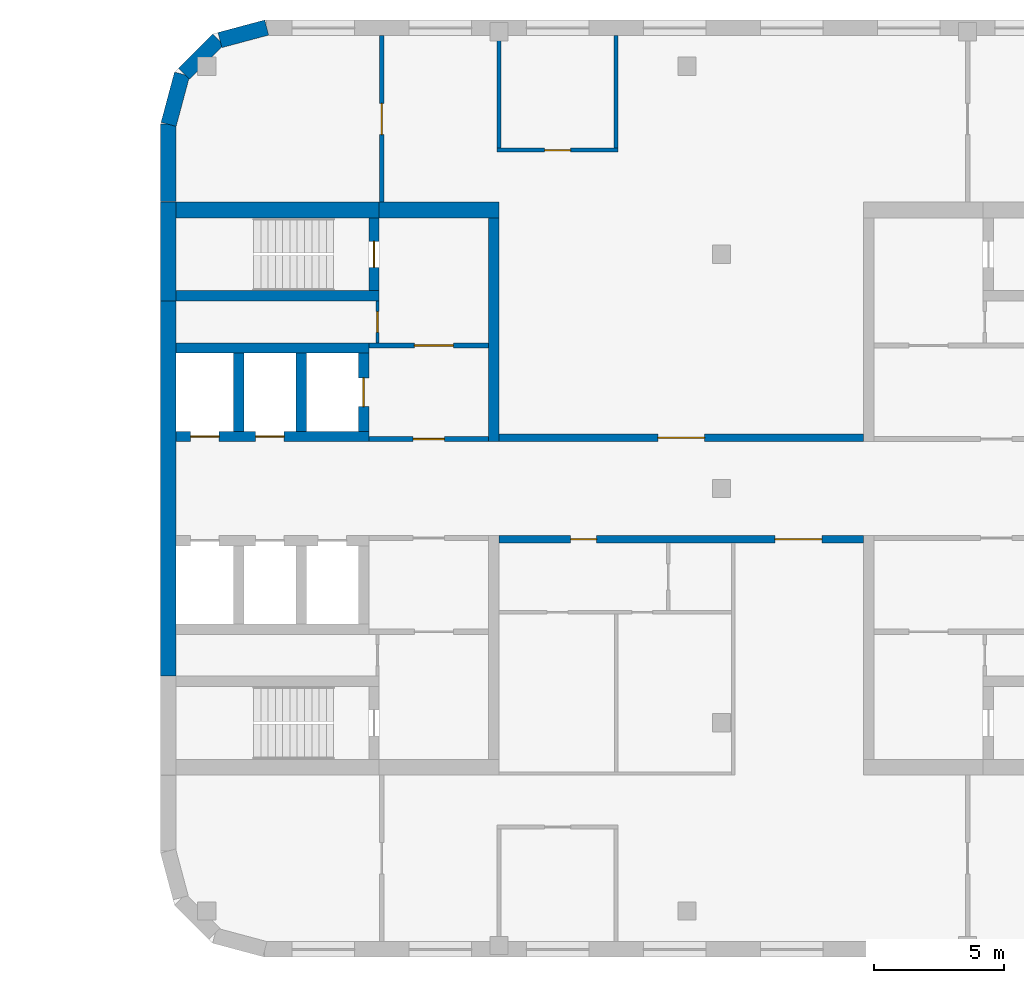
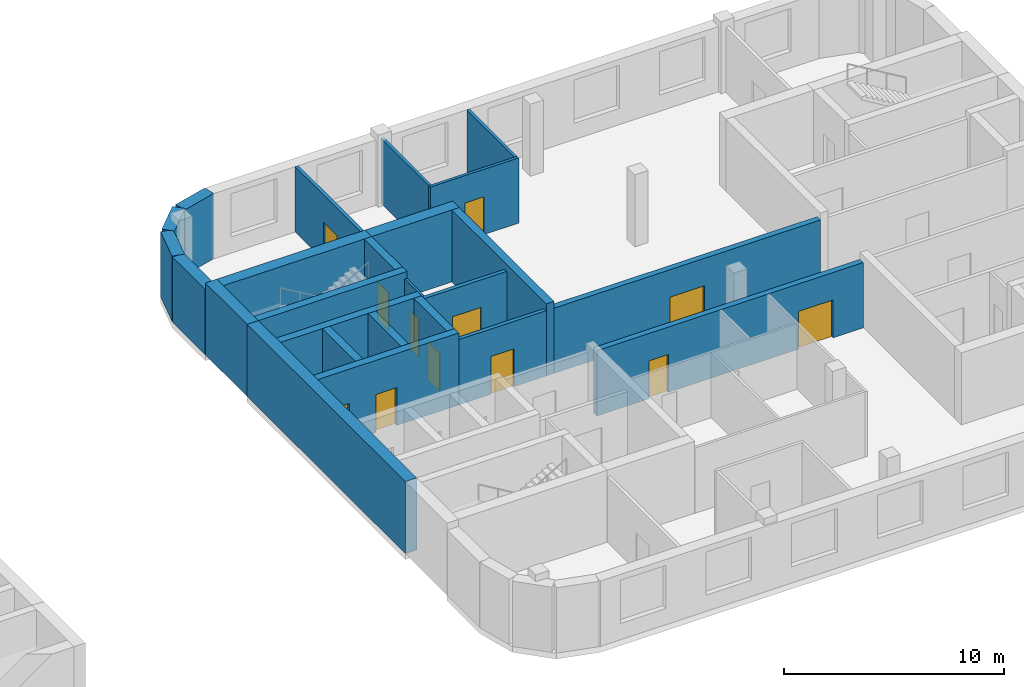
# One storey, part 8 of 16: 25 walls, 12 doors, 12 openings.
"""IFC4 building model written with IfcOpenShell, lengths in metres."""

from ifc_helpers import new_model, si_unit, direction, frame, frame_2d, origin, place, context, subcontext, project, spatial, rectangle, extrude, material, layer, layer_set, type_object, element, fill, save


model = new_model("IFC4")

# Units and contexts
model_context = context("Model", 3, precision=1e-05, world=origin(), true_north=direction((0.0, 1.0)))
body_context = subcontext(model_context, "Body", "Model", "MODEL_VIEW")
ifc_project = project(units=[si_unit("LENGTHUNIT", "METRE"), si_unit("AREAUNIT", "SQUARE_METRE"), si_unit("VOLUMEUNIT", "CUBIC_METRE"), si_unit("PLANEANGLEUNIT", "RADIAN"), si_unit("MASSUNIT", "GRAM", prefix="KILO")], contexts=[model_context])

# Site, building, storey
site_placement = place(None, origin())
site = spatial("IfcSite", under=ifc_project, at=site_placement, CompositionType="ELEMENT")
building_placement = place(site_placement, origin())
building = spatial("IfcBuilding", under=site, at=building_placement, Name="Skarvind Civic Tower", CompositionType="ELEMENT")
storey_placement = place(building_placement, frame((0.0, 0.0, 81.0)))
storey = spatial("IfcBuildingStorey", under=building, at=storey_placement, Name="L18", CompositionType="ELEMENT", Elevation=81.0)

# Wall, opening, door
ifc_material_1 = material(Name="Acoustic gypsum board on steel studs", Category="steel")
ifc_layer_1 = layer(ifc_material_1, 0.175048828125)
ifc_layer_set_1 = layer_set([ifc_layer_1], Name="ACOUSTIC MEETING-ROOM PARTITION 175")
wall_type_1 = type_object("IfcWallType", Name="ACOUSTIC MEETING-ROOM PARTITION 175", PredefinedType="PARTITIONING", material=ifc_layer_set_1)
wall_1_placement = place(storey_placement, frame((135.5, 145.39990234375, 0.0), z_axis=(0.0, 0.0, 1.0), x_axis=(0.0, -1.0, 0.0)))
wall_1 = element("IfcWall", 1, at=wall_1_placement, inside=storey, type_object=wall_type_1, Name="Partition 18.002", PredefinedType="PARTITIONING", context=body_context, shape_type="SweptSolid", body=[
    extrude(rectangle(XDim=6.39990234375, YDim=0.175048828125, at=frame_2d((3.199951171875, 0.0))), origin(), (0.0, 0.0, 1.0), 3.625),
])
opening_1_placement = place(wall_1_placement, frame((2.60009765625, 0.0, 0.0)))
opening_1 = element("IfcOpeningElement", 2, at=opening_1_placement, cuts=wall_1, Name="Opening L18-D103", PredefinedType="OPENING", context=body_context, shape_type="SweptSolid", body=[
    extrude(rectangle(XDim=1.199951171875, YDim=2.10009765625, at=frame_2d((0.60009765625, 1.050048828125))), frame((0.0, 0.097412109375, 0.0), z_axis=(0.0, -1.0, 0.0), x_axis=(1.0, 0.0, 0.0)), (0.0, 0.0, 1.0), 0.195068359375),
])
ifc_material_2 = material(Name="Timber door leaf", Category="wood")
door_type_1 = type_object("IfcDoorType", Name="DOOR 1200X2100 DOUBLE TIMBER", OperationType="NOTDEFINED", PredefinedType="DOOR", material=ifc_material_2)
door_1_placement = place(opening_1_placement, origin())
door_1 = element("IfcDoor", 3, at=door_1_placement, inside=storey, type_object=door_type_1, Name="Door L18-D103", OperationType="DOUBLE_DOOR_SINGLE_SWING", OverallHeight=2.10009765625, OverallWidth=1.199951171875, PredefinedType="DOOR", context=body_context, shape_type="SweptSolid", body=[
    extrude(rectangle(XDim=1.199951171875, YDim=2.10009765625, at=frame_2d((0.60009765625, 1.050048828125))), frame((0.0, 0.02490234375, 0.0), z_axis=(0.0, -1.0, 0.0), x_axis=(1.0, 0.0, 0.0)), (0.0, 0.0, 1.0), 0.050048828125),
])
fill(opening_1, door_1)

ifc_material_3 = material(Name="Fire-rated gypsum board on steel studs", Category="steel")
ifc_layer_2 = layer(ifc_material_3, 0.300048828125)
ifc_layer_set_2 = layer_set([ifc_layer_2], Name="CORRIDOR WALL 300")
wall_type_2 = type_object("IfcWallType", Name="CORRIDOR WALL 300", PredefinedType="PARTITIONING", material=ifc_layer_set_2)
wall_2_placement = place(storey_placement, frame((140.0, 129.949951171875, 0.0), z_axis=(0.0, 0.0, 1.0), x_axis=(1.0, 0.0, 0.0)))
wall_2 = element("IfcWall", 4, at=wall_2_placement, inside=storey, type_object=wall_type_2, Name="Partition 18.007", PredefinedType="PARTITIONING", context=body_context, shape_type="SweptSolid", body=[
    extrude(rectangle(XDim=14.0, YDim=0.300048828125, at=frame_2d((7.0, 0.0))), origin(), (0.0, 0.0, 1.0), 3.625),
])
opening_2_placement = place(wall_2_placement, frame((6.10009765625, 0.0, 0.0)))
opening_2 = element("IfcOpeningElement", 5, at=opening_2_placement, cuts=wall_2, Name="Opening L18-D101", PredefinedType="OPENING", context=body_context, shape_type="SweptSolid", body=[
    extrude(rectangle(XDim=1.800048828125, YDim=2.10009765625, at=frame_2d((0.89990234375, 1.050048828125))), frame((0.0, 0.159912109375, 0.0), z_axis=(0.0, -1.0, 0.0), x_axis=(1.0, 0.0, 0.0)), (0.0, 0.0, 1.0), 0.320068359375),
])
ifc_material_4 = material(Name="Fire-rated timber door leaf", Category="wood")
door_type_2 = type_object("IfcDoorType", Name="FD4 1800x2100", OperationType="NOTDEFINED", PredefinedType="DOOR", material=ifc_material_4)
door_2_placement = place(opening_2_placement, origin())
door_2 = element("IfcDoor", 6, at=door_2_placement, inside=storey, type_object=door_type_2, Name="Door L18-D101", OperationType="DOUBLE_DOOR_SINGLE_SWING", OverallHeight=2.10009765625, OverallWidth=1.800048828125, PredefinedType="DOOR", context=body_context, shape_type="SweptSolid", body=[
    extrude(rectangle(XDim=1.800048828125, YDim=2.10009765625, at=frame_2d((0.89990234375, 1.050048828125))), frame((0.0, 0.02490234375, 0.0), z_axis=(0.0, -1.0, 0.0), x_axis=(1.0, 0.0, 0.0)), (0.0, 0.0, 1.0), 0.050048828125),
])
fill(opening_2, door_2)

# Wall, openings, doors
wall_3_placement = place(storey_placement, frame((154.0, 126.050048828125, 0.0), z_axis=(0.0, 0.0, 1.0), x_axis=(-1.0, 0.0, 0.0)))
wall_3 = element("IfcWall", 7, at=wall_3_placement, inside=storey, type_object=wall_type_2, Name="Partition 18.015", PredefinedType="PARTITIONING", context=body_context, shape_type="SweptSolid", body=[
    extrude(rectangle(XDim=14.0, YDim=0.300048828125, at=frame_2d((7.0, 0.0))), origin(), (0.0, 0.0, 1.0), 3.625),
])
opening_3_placement = place(wall_3_placement, frame((10.25, 0.0, 0.0)))
opening_3 = element("IfcOpeningElement", 8, at=opening_3_placement, cuts=wall_3, Name="Opening L18-D105", PredefinedType="OPENING", context=body_context, shape_type="SweptSolid", body=[
    extrude(rectangle(XDim=1.0, YDim=2.10009765625, at=frame_2d((0.5, 1.050048828125))), frame((0.0, 0.159912109375, 0.0), z_axis=(0.0, -1.0, 0.0), x_axis=(1.0, 0.0, 0.0)), (0.0, 0.0, 1.0), 0.320068359375),
])
opening_4_placement = place(wall_3_placement, frame((1.60009765625, 0.0, 0.0)))
opening_4 = element("IfcOpeningElement", 9, at=opening_4_placement, cuts=wall_3, Name="Opening L18-D109", PredefinedType="OPENING", context=body_context, shape_type="SweptSolid", body=[
    extrude(rectangle(XDim=1.800048828125, YDim=2.10009765625, at=frame_2d((0.89990234375, 1.050048828125))), frame((0.0, 0.159912109375, 0.0), z_axis=(0.0, -1.0, 0.0), x_axis=(1.0, 0.0, 0.0)), (0.0, 0.0, 1.0), 0.320068359375),
])
door_type_3 = type_object("IfcDoorType", Name="FD1 1000x2100", OperationType="NOTDEFINED", PredefinedType="DOOR", material=ifc_material_4)
door_3_placement = place(opening_3_placement, origin())
door_3 = element("IfcDoor", 10, at=door_3_placement, inside=storey, type_object=door_type_3, Name="Door L18-D105", OperationType="SINGLE_SWING_RIGHT", OverallHeight=2.10009765625, OverallWidth=1.0, PredefinedType="DOOR", context=body_context, shape_type="SweptSolid", body=[
    extrude(rectangle(XDim=1.0, YDim=2.10009765625, at=frame_2d((0.5, 1.050048828125))), frame((0.0, 0.02490234375, 0.0), z_axis=(0.0, -1.0, 0.0), x_axis=(1.0, 0.0, 0.0)), (0.0, 0.0, 1.0), 0.050048828125),
])
fill(opening_3, door_3)
door_4_placement = place(opening_4_placement, origin())
door_4 = element("IfcDoor", 11, at=door_4_placement, inside=storey, type_object=door_type_2, Name="Door L18-D109", OperationType="DOUBLE_DOOR_SINGLE_SWING", OverallHeight=2.10009765625, OverallWidth=1.800048828125, PredefinedType="DOOR", context=body_context, shape_type="SweptSolid", body=[
    extrude(rectangle(XDim=1.800048828125, YDim=2.10009765625, at=frame_2d((0.89990234375, 1.050048828125))), frame((0.0, 0.02490234375, 0.0), z_axis=(0.0, -1.0, 0.0), x_axis=(1.0, 0.0, 0.0)), (0.0, 0.0, 1.0), 0.050048828125),
])
fill(opening_4, door_4)

# Wall, opening, door
ifc_material_5 = material(Name="Fire-rated masonry partition", Category="masonry")
ifc_layer_3 = layer(ifc_material_5, 0.199951171875)
ifc_layer_set_3 = layer_set([ifc_layer_3], Name="Core enclosure wall 200")
wall_type_3 = type_object("IfcWallType", Name="Core enclosure wall 200", PredefinedType="PARTITIONING", material=ifc_layer_set_3)
wall_4_placement = place(storey_placement, frame((135.0, 129.89990234375, 0.0), z_axis=(0.0, 0.0, 1.0), x_axis=(1.0, 0.0, 0.0)))
wall_4 = element("IfcWall", 12, at=wall_4_placement, inside=storey, type_object=wall_type_3, Name="Core wall CA", PredefinedType="PARTITIONING", context=body_context, shape_type="SweptSolid", body=[
    extrude(rectangle(XDim=4.60009765625, YDim=0.199951171875, at=frame_2d((2.300048828125, 0.0))), origin(), (0.0, 0.0, 1.0), 3.625),
])
opening_5_placement = place(wall_4_placement, frame((1.699951171875, 0.0, 0.0)))
opening_5 = element("IfcOpeningElement", 13, at=opening_5_placement, cuts=wall_4, Name="Opening D-L18-CA-06", PredefinedType="OPENING", context=body_context, shape_type="SweptSolid", body=[
    extrude(rectangle(XDim=1.199951171875, YDim=2.10009765625, at=frame_2d((0.60009765625, 1.050048828125))), frame((0.0, 0.10986328125, 0.0), z_axis=(0.0, -1.0, 0.0), x_axis=(1.0, 0.0, 0.0)), (0.0, 0.0, 1.0), 0.219970703125),
])
ifc_material_6 = material(Name="Fire-rated steel door", Category="steel")
door_type_4 = type_object("IfcDoorType", Name="Core lobby door 1200", OperationType="NOTDEFINED", PredefinedType="DOOR", material=ifc_material_6)
door_5_placement = place(opening_5_placement, origin())
door_5 = element("IfcDoor", 14, at=door_5_placement, inside=storey, type_object=door_type_4, Name="Fire door", OperationType="DOUBLE_DOOR_SINGLE_SWING", OverallHeight=2.10009765625, OverallWidth=1.199951171875, PredefinedType="DOOR", context=body_context, shape_type="SweptSolid", body=[
    extrude(rectangle(XDim=1.199951171875, YDim=2.10009765625, at=frame_2d((0.60009765625, 1.050048828125))), frame((0.0, 0.02490234375, 0.0), z_axis=(0.0, -1.0, 0.0), x_axis=(1.0, 0.0, 0.0)), (0.0, 0.0, 1.0), 0.050048828125),
])
fill(opening_5, door_5)

wall_5_placement = place(storey_placement, frame((135.0, 133.5, 0.0), z_axis=(0.0, 0.0, 1.0), x_axis=(1.0, 0.0, 0.0)))
wall_5 = element("IfcWall", 15, at=wall_5_placement, inside=storey, type_object=wall_type_3, Name="Core wall CA", PredefinedType="PARTITIONING", context=body_context, shape_type="SweptSolid", body=[
    extrude(rectangle(XDim=4.60009765625, YDim=0.199951171875, at=frame_2d((2.300048828125, 0.0))), origin(), (0.0, 0.0, 1.0), 3.625),
])
opening_6_placement = place(wall_5_placement, frame((1.75, 0.0, 0.0)))
opening_6 = element("IfcOpeningElement", 16, at=opening_6_placement, cuts=wall_5, Name="Opening D-L18-CA-07", PredefinedType="OPENING", context=body_context, shape_type="SweptSolid", body=[
    extrude(rectangle(XDim=1.5, YDim=2.10009765625, at=frame_2d((0.75, 1.050048828125))), frame((0.0, 0.10986328125, 0.0), z_axis=(0.0, -1.0, 0.0), x_axis=(1.0, 0.0, 0.0)), (0.0, 0.0, 1.0), 0.219970703125),
])
door_type_5 = type_object("IfcDoorType", Name="Fire door 1500", OperationType="NOTDEFINED", PredefinedType="DOOR", material=ifc_material_6)
door_6_placement = place(opening_6_placement, origin())
door_6 = element("IfcDoor", 17, at=door_6_placement, inside=storey, type_object=door_type_5, Name="Fire door", OperationType="DOUBLE_DOOR_SINGLE_SWING", OverallHeight=2.10009765625, OverallWidth=1.5, PredefinedType="DOOR", context=body_context, shape_type="SweptSolid", body=[
    extrude(rectangle(XDim=1.5, YDim=2.10009765625, at=frame_2d((0.75, 1.050048828125))), frame((0.0, 0.02490234375, 0.0), z_axis=(0.0, -1.0, 0.0), x_axis=(1.0, 0.0, 0.0)), (0.0, 0.0, 1.0), 0.050048828125),
])
fill(opening_6, door_6)

# Wall
ifc_material_7 = material(Name="Concrete C80", Category="concrete")
ifc_layer_4 = layer(ifc_material_7, 0.39990234375)
ifc_layer_set_4 = layer_set([ifc_layer_4], Name="Core wall 400 C80")
wall_type_4 = type_object("IfcWallType", Name="Core wall 400 C80", PredefinedType="SHEAR", material=ifc_layer_set_4)
wall_6_placement = place(storey_placement, frame((127.60009765625, 135.39990234375, 0.0), z_axis=(0.0, 0.0, 1.0), x_axis=(1.0, 0.0, 0.0)))
element("IfcWall", 18, at=wall_6_placement, inside=storey, type_object=wall_type_4, Name="Core wall CA north stair inner L18", PredefinedType="SHEAR", context=body_context, shape_type="SweptSolid", body=[
    extrude(rectangle(XDim=7.7998046875, YDim=0.39990234375, at=frame_2d((3.89990234375, 0.0))), origin(), (0.0, 0.0, 1.0), 4.0),
])

# Wall, opening, door
wall_7_placement = place(storey_placement, frame((135.199951171875, 135.60009765625, 0.0), z_axis=(0.0, 0.0, 1.0), x_axis=(0.0, 1.0, 0.0)))
wall_7 = element("IfcWall", 19, at=wall_7_placement, inside=storey, type_object=wall_type_4, Name="Core wall CA north stair end L18", PredefinedType="SHEAR", context=body_context, shape_type="SweptSolid", body=[
    extrude(rectangle(XDim=2.7998046875, YDim=0.39990234375, at=frame_2d((1.39990234375, 0.0))), origin(), (0.0, 0.0, 1.0), 4.0),
])
opening_7_placement = place(wall_7_placement, frame((0.89990234375, 0.0, 0.0)))
opening_7 = element("IfcOpeningElement", 20, at=opening_7_placement, cuts=wall_7, Name="Opening D-L18-CA-08", PredefinedType="OPENING", context=body_context, shape_type="SweptSolid", body=[
    extrude(rectangle(XDim=1.0, YDim=2.10009765625, at=frame_2d((0.5, 1.050048828125))), frame((0.0, 0.2099609375, 0.0), z_axis=(0.0, -1.0, 0.0), x_axis=(1.0, 0.0, 0.0)), (0.0, 0.0, 1.0), 0.419921875),
])
door_type_6 = type_object("IfcDoorType", Name="Fire door 1000", OperationType="NOTDEFINED", PredefinedType="DOOR", material=ifc_material_6)
door_7_placement = place(opening_7_placement, origin())
door_7 = element("IfcDoor", 21, at=door_7_placement, inside=storey, type_object=door_type_6, Name="Fire door", OperationType="SINGLE_SWING_LEFT", OverallHeight=2.10009765625, OverallWidth=1.0, PredefinedType="DOOR", context=body_context, shape_type="SweptSolid", body=[
    extrude(rectangle(XDim=1.0, YDim=2.10009765625, at=frame_2d((0.5, 1.050048828125))), frame((0.0, 0.02490234375, 0.0), z_axis=(0.0, -1.0, 0.0), x_axis=(1.0, 0.0, 0.0)), (0.0, 0.0, 1.0), 0.050048828125),
])
fill(opening_7, door_7)

# Wall, openings, doors
wall_8_placement = place(storey_placement, frame((127.60009765625, 130.0, 0.0), z_axis=(0.0, 0.0, 1.0), x_axis=(1.0, 0.0, 0.0)))
wall_8 = element("IfcWall", 22, at=wall_8_placement, inside=storey, type_object=wall_type_4, Name="Core wall CA north lift row front L18", PredefinedType="SHEAR", context=body_context, shape_type="SweptSolid", body=[
    extrude(rectangle(XDim=7.39990234375, YDim=0.39990234375, at=frame_2d((3.699951171875, 0.0))), origin(), (0.0, 0.0, 1.0), 4.0),
])
opening_8_placement = place(wall_8_placement, frame((0.550048828125, 0.0, 0.0)))
opening_8 = element("IfcOpeningElement", 23, at=opening_8_placement, cuts=wall_8, Name="Opening LD20301", PredefinedType="OPENING", context=body_context, shape_type="SweptSolid", body=[
    extrude(rectangle(XDim=1.10009765625, YDim=2.10009765625, at=frame_2d((0.550048828125, 1.050048828125))), frame((0.0, 0.2099609375, 0.0), z_axis=(0.0, -1.0, 0.0), x_axis=(1.0, 0.0, 0.0)), (0.0, 0.0, 1.0), 0.419921875),
])
opening_9_placement = place(wall_8_placement, frame((3.050048828125, 0.0, 0.0)))
opening_9 = element("IfcOpeningElement", 24, at=opening_9_placement, cuts=wall_8, Name="Opening LD20302", PredefinedType="OPENING", context=body_context, shape_type="SweptSolid", body=[
    extrude(rectangle(XDim=1.10009765625, YDim=2.10009765625, at=frame_2d((0.550048828125, 1.050048828125))), frame((0.0, 0.2099609375, 0.0), z_axis=(0.0, -1.0, 0.0), x_axis=(1.0, 0.0, 0.0)), (0.0, 0.0, 1.0), 0.419921875),
])
ifc_material_8 = material(Name="Stainless steel landing door", Category="steel")
door_type_7 = type_object("IfcDoorType", Name="Lift landing door 1100", OperationType="DOUBLE_DOOR_SLIDING", PredefinedType="DOOR", material=ifc_material_8)
door_8_placement = place(opening_8_placement, origin())
door_8 = element("IfcDoor", 25, at=door_8_placement, inside=storey, type_object=door_type_7, Name="Lift landing door", OperationType="DOUBLE_DOOR_SLIDING", OverallHeight=2.10009765625, OverallWidth=1.10009765625, PredefinedType="DOOR", context=body_context, shape_type="SweptSolid", body=[
    extrude(rectangle(XDim=1.10009765625, YDim=2.10009765625, at=frame_2d((0.550048828125, 1.050048828125))), frame((0.0, 0.02490234375, 0.0), z_axis=(0.0, -1.0, 0.0), x_axis=(1.0, 0.0, 0.0)), (0.0, 0.0, 1.0), 0.050048828125),
])
fill(opening_8, door_8)
door_9_placement = place(opening_9_placement, origin())
door_9 = element("IfcDoor", 26, at=door_9_placement, inside=storey, type_object=door_type_7, Name="Lift landing door", OperationType="DOUBLE_DOOR_SLIDING", OverallHeight=2.10009765625, OverallWidth=1.10009765625, PredefinedType="DOOR", context=body_context, shape_type="SweptSolid", body=[
    extrude(rectangle(XDim=1.10009765625, YDim=2.10009765625, at=frame_2d((0.550048828125, 1.050048828125))), frame((0.0, 0.02490234375, 0.0), z_axis=(0.0, -1.0, 0.0), x_axis=(1.0, 0.0, 0.0)), (0.0, 0.0, 1.0), 0.050048828125),
])
fill(opening_9, door_9)

# Walls
wall_9_placement = place(storey_placement, frame((127.60009765625, 133.39990234375, 0.0), z_axis=(0.0, 0.0, 1.0), x_axis=(1.0, 0.0, 0.0)))
element("IfcWall", 27, at=wall_9_placement, inside=storey, type_object=wall_type_4, Name="Core wall CA north lift row back L18", PredefinedType="SHEAR", context=body_context, shape_type="SweptSolid", body=[
    extrude(rectangle(XDim=7.39990234375, YDim=0.39990234375, at=frame_2d((3.699951171875, 0.0))), origin(), (0.0, 0.0, 1.0), 4.0),
])
for number, where, z_axis, x_axis, name in (
    (28, (130.0, 130.199951171875, 0.0), (0.0, 0.0, 1.0), (0.0, 1.0, 0.0), "Core wall CA north lift row division 1 L18"),
    (29, (132.39990234375, 130.199951171875, 0.0), (0.0, 0.0, 1.0), (0.0, 1.0, 0.0), "Core wall CA north lift row division 2 L18"),
):
    element("IfcWall", number, at=place(storey_placement, frame(where, z_axis=z_axis, x_axis=x_axis)), inside=storey, type_object=wall_type_4, Name=name, PredefinedType="SHEAR", context=body_context, shape_type="SweptSolid", body=[
        extrude(rectangle(XDim=3.0, YDim=0.39990234375, at=frame_2d((1.5, 0.0))), origin(), (0.0, 0.0, 1.0), 4.0),
    ])

# Wall, opening, door
wall_10_placement = place(storey_placement, frame((134.800048828125, 130.199951171875, 0.0), z_axis=(0.0, 0.0, 1.0), x_axis=(0.0, 1.0, 0.0)))
wall_10 = element("IfcWall", 30, at=wall_10_placement, inside=storey, type_object=wall_type_4, Name="Core wall CA north lift row division 3 L18", PredefinedType="SHEAR", context=body_context, shape_type="SweptSolid", body=[
    extrude(rectangle(XDim=3.0, YDim=0.39990234375, at=frame_2d((1.5, 0.0))), origin(), (0.0, 0.0, 1.0), 4.0),
])
opening_10_placement = place(wall_10_placement, frame((0.949951171875, 0.0, 0.0)))
opening_10 = element("IfcOpeningElement", 31, at=opening_10_placement, cuts=wall_10, Name="Opening LD20303", PredefinedType="OPENING", context=body_context, shape_type="SweptSolid", body=[
    extrude(rectangle(XDim=1.10009765625, YDim=2.10009765625, at=frame_2d((0.550048828125, 1.050048828125))), frame((0.0, 0.2099609375, 0.0), z_axis=(0.0, -1.0, 0.0), x_axis=(1.0, 0.0, 0.0)), (0.0, 0.0, 1.0), 0.419921875),
])
door_10_placement = place(opening_10_placement, origin())
door_10 = element("IfcDoor", 32, at=door_10_placement, inside=storey, type_object=door_type_7, Name="Lift landing door", OperationType="DOUBLE_DOOR_SLIDING", OverallHeight=2.10009765625, OverallWidth=1.10009765625, PredefinedType="DOOR", context=body_context, shape_type="SweptSolid", body=[
    extrude(rectangle(XDim=1.10009765625, YDim=2.10009765625, at=frame_2d((0.550048828125, 1.050048828125))), frame((0.0, 0.02490234375, 0.0), z_axis=(0.0, -1.0, 0.0), x_axis=(1.0, 0.0, 0.0)), (0.0, 0.0, 1.0), 0.050048828125),
])
fill(opening_10, door_10)

# Walls
wall_11_placement = place(storey_placement, frame((139.800048828125, 129.800048828125, 0.0), z_axis=(0.0, 0.0, 1.0), x_axis=(0.0, 1.0, 0.0)))
element("IfcWall", 33, at=wall_11_placement, inside=storey, type_object=wall_type_4, Name="Core wall CA north inner face L18", PredefinedType="SHEAR", context=body_context, shape_type="SweptSolid", body=[
    extrude(rectangle(XDim=8.599853515625, YDim=0.39990234375, at=frame_2d((4.2998046875, 0.0))), origin(), (0.0, 0.0, 1.0), 4.0),
])
ifc_layer_5 = layer(ifc_material_7, 0.60009765625)
ifc_layer_set_5 = layer_set([ifc_layer_5], Name="Core wall 600 C80")
wall_type_5 = type_object("IfcWallType", Name="Core wall 600 C80", PredefinedType="SHEAR", material=ifc_layer_set_5)
wall_12_placement = place(storey_placement, frame((127.300048828125, 120.800048828125, 0.0), z_axis=(0.0, 0.0, 1.0), x_axis=(0.0, 1.0, 0.0)))
element("IfcWall", 34, at=wall_12_placement, inside=storey, type_object=wall_type_5, Name="Core wall CA tip between the stairs L18", PredefinedType="SHEAR", context=body_context, shape_type="SweptSolid", body=[
    extrude(rectangle(XDim=14.39990234375, YDim=0.60009765625, at=frame_2d((7.199951171875, 0.0))), origin(), (0.0, 0.0, 1.0), 4.0),
])
wall_13_placement = place(storey_placement, frame((127.300048828125, 135.199951171875, 0.0), z_axis=(0.0, 0.0, 1.0), x_axis=(0.0, 1.0, 0.0)))
element("IfcWall", 35, at=wall_13_placement, inside=storey, type_object=wall_type_5, Name="Core wall CA tip at the north stair L18", PredefinedType="SHEAR", context=body_context, shape_type="SweptSolid", body=[
    extrude(rectangle(XDim=3.800048828125, YDim=0.60009765625, at=frame_2d((1.89990234375, 0.0))), origin(), (0.0, 0.0, 1.0), 4.0),
])
wall_14_placement = place(storey_placement, frame((127.60009765625, 138.699951171875, 0.0), z_axis=(0.0, 0.0, 1.0), x_axis=(1.0, 0.0, 0.0)))
element("IfcWall", 36, at=wall_14_placement, inside=storey, type_object=wall_type_5, Name="Core wall CA north side at the stair L18", PredefinedType="SHEAR", context=body_context, shape_type="SweptSolid", body=[
    extrude(rectangle(XDim=7.7998046875, YDim=0.60009765625, at=frame_2d((3.89990234375, 0.0))), origin(), (0.0, 0.0, 1.0), 4.0),
])
wall_15_placement = place(storey_placement, frame((135.39990234375, 138.699951171875, 0.0), z_axis=(0.0, 0.0, 1.0), x_axis=(1.0, 0.0, 0.0)))
element("IfcWall", 37, at=wall_15_placement, inside=storey, type_object=wall_type_5, Name="Core wall CA north side L18", PredefinedType="SHEAR", context=body_context, shape_type="SweptSolid", body=[
    extrude(rectangle(XDim=4.60009765625, YDim=0.60009765625, at=frame_2d((2.300048828125, 0.0))), origin(), (0.0, 0.0, 1.0), 4.0),
])
ifc_material_9 = material(Name="Plasterboard partition on steel studs", Category="steel")
ifc_layer_6 = layer(ifc_material_9, 0.14990234375)
ifc_layer_set_6 = layer_set([ifc_layer_6], Name="PARTITION 150")
wall_type_6 = type_object("IfcWallType", Name="PARTITION 150", PredefinedType="PARTITIONING", material=ifc_layer_set_6)
wall_16_placement = place(storey_placement, frame((140.0, 141.074951171875, 0.0), z_axis=(0.0, 0.0, 1.0), x_axis=(0.0, 1.0, 0.0)))
element("IfcWall", 38, at=wall_16_placement, inside=storey, type_object=wall_type_6, Name="Partition 18.008", PredefinedType="PARTITIONING", context=body_context, shape_type="SweptSolid", body=[
    extrude(rectangle(XDim=4.324951171875, YDim=0.14990234375, at=frame_2d((2.16259765625, 0.0))), origin(), (0.0, 0.0, 1.0), 3.625),
])

# Wall, opening, door
wall_17_placement = place(storey_placement, frame((144.574951171875, 141.0, 0.0), z_axis=(0.0, 0.0, 1.0), x_axis=(-1.0, 0.0, 0.0)))
wall_17 = element("IfcWall", 39, at=wall_17_placement, inside=storey, type_object=wall_type_6, Name="Partition 18.011", PredefinedType="PARTITIONING", context=body_context, shape_type="SweptSolid", body=[
    extrude(rectangle(XDim=4.64990234375, YDim=0.14990234375, at=frame_2d((2.324951171875, 0.0))), origin(), (0.0, 0.0, 1.0), 3.625),
])
opening_11_placement = place(wall_17_placement, frame((1.824951171875, 0.0, 0.0)))
opening_11 = element("IfcOpeningElement", 40, at=opening_11_placement, cuts=wall_17, Name="Opening L18-D102", PredefinedType="OPENING", context=body_context, shape_type="SweptSolid", body=[
    extrude(rectangle(XDim=1.0, YDim=2.10009765625, at=frame_2d((0.5, 1.050048828125))), frame((0.0, 0.0849609375, 0.0), z_axis=(0.0, -1.0, 0.0), x_axis=(1.0, 0.0, 0.0)), (0.0, 0.0, 1.0), 0.169921875),
])
door_type_8 = type_object("IfcDoorType", Name="D1 1000x2100", OperationType="NOTDEFINED", PredefinedType="DOOR", material=ifc_material_2)
door_11_placement = place(opening_11_placement, origin())
door_11 = element("IfcDoor", 41, at=door_11_placement, inside=storey, type_object=door_type_8, Name="Door L18-D102", OperationType="SINGLE_SWING_LEFT", OverallHeight=2.10009765625, OverallWidth=1.0, PredefinedType="DOOR", context=body_context, shape_type="SweptSolid", body=[
    extrude(rectangle(XDim=1.0, YDim=2.10009765625, at=frame_2d((0.5, 1.050048828125))), frame((0.0, 0.02490234375, 0.0), z_axis=(0.0, -1.0, 0.0), x_axis=(1.0, 0.0, 0.0)), (0.0, 0.0, 1.0), 0.050048828125),
])
fill(opening_11, door_11)

# Wall
wall_18_placement = place(storey_placement, frame((144.5, 145.39990234375, 0.0), z_axis=(0.0, 0.0, 1.0), x_axis=(0.0, -1.0, 0.0)))
element("IfcWall", 42, at=wall_18_placement, inside=storey, type_object=wall_type_6, Name="Partition 18.012", PredefinedType="PARTITIONING", context=body_context, shape_type="SweptSolid", body=[
    extrude(rectangle(XDim=4.324951171875, YDim=0.14990234375, at=frame_2d((2.16259765625, 0.0))), origin(), (0.0, 0.0, 1.0), 3.625),
])

# Wall, opening, door
ifc_layer_7 = layer(ifc_material_5, 0.125)
ifc_layer_set_7 = layer_set([ifc_layer_7], Name="Riser wall 125")
wall_type_7 = type_object("IfcWallType", Name="Riser wall 125", PredefinedType="PARTITIONING", material=ifc_layer_set_7)
wall_19_placement = place(storey_placement, frame((135.33740234375, 135.199951171875, 0.0), z_axis=(0.0, 0.0, 1.0), x_axis=(0.0, -1.0, 0.0)))
wall_19 = element("IfcWall", 43, at=wall_19_placement, inside=storey, type_object=wall_type_7, Name="Core wall CA", PredefinedType="PARTITIONING", context=body_context, shape_type="SweptSolid", body=[
    extrude(rectangle(XDim=1.599853515625, YDim=0.125, at=frame_2d((0.7998046875, 0.0))), origin(), (0.0, 0.0, 1.0), 3.625),
])
opening_12_placement = place(wall_19_placement, frame((0.39990234375, 0.0, 0.0)))
opening_12 = element("IfcOpeningElement", 44, at=opening_12_placement, cuts=wall_19, Name="Opening D-L18-CA-09", PredefinedType="OPENING", context=body_context, shape_type="SweptSolid", body=[
    extrude(rectangle(XDim=0.800048828125, YDim=2.10009765625, at=frame_2d((0.39990234375, 1.050048828125))), frame((0.0, 0.072509765625, 0.0), z_axis=(0.0, -1.0, 0.0), x_axis=(1.0, 0.0, 0.0)), (0.0, 0.0, 1.0), 0.14501953125),
])
door_type_9 = type_object("IfcDoorType", Name="Core riser door 800", OperationType="NOTDEFINED", PredefinedType="DOOR", material=ifc_material_6)
door_12_placement = place(opening_12_placement, origin())
door_12 = element("IfcDoor", 45, at=door_12_placement, inside=storey, type_object=door_type_9, Name="Riser door", OperationType="SINGLE_SWING_RIGHT", OverallHeight=2.10009765625, OverallWidth=0.800048828125, PredefinedType="DOOR", context=body_context, shape_type="SweptSolid", body=[
    extrude(rectangle(XDim=0.800048828125, YDim=2.10009765625, at=frame_2d((0.39990234375, 1.050048828125))), frame((0.0, 0.02490234375, 0.0), z_axis=(0.0, -1.0, 0.0), x_axis=(1.0, 0.0, 0.0)), (0.0, 0.0, 1.0), 0.050048828125),
])
fill(opening_12, door_12)

# Walls
ifc_material_10 = material(Name="Limestone masonry cladding on insulated backing", Category="masonry")
ifc_layer_8 = layer(ifc_material_10, 0.60009765625)
ifc_layer_set_8 = layer_set([ifc_layer_8], Name="WX1 STONE FACADE WALL 600")
wall_type_8 = type_object("IfcWallType", Name="WX1 STONE FACADE WALL 600", PredefinedType="SOLIDWALL", material=ifc_layer_set_8)
for number, where, z_axis, x_axis, name in (
    (46, (129.280517578125, 145.228759765625, 0.0), (0.0, 0.0, 1.0), (0.965938094805, 0.258773254036, 0.0), "STONE FACADE WALL"),
    (47, (127.896484375, 143.936279296875, 0.0), (0.0, 0.0, 1.0), (0.707106781187, 0.707106781187, 0.0), "STONE FACADE WALL"),
):
    element("IfcWall", number, at=place(storey_placement, frame(where, z_axis=z_axis, x_axis=x_axis)), inside=storey, type_object=wall_type_8, Name=name, PredefinedType="SOLIDWALL", context=body_context, shape_type="SweptSolid", body=[
        extrude(rectangle(XDim=1.860595703125, YDim=0.60009765625, at=frame_2d((0.93017578125, 0.0))), origin(), (0.0, 0.0, 1.0), 3.625),
    ])
wall_20_placement = place(storey_placement, frame((127.307861328125, 141.989990234375, 0.0), z_axis=(0.0, 0.0, 1.0), x_axis=(0.258839784042, 0.965920269068, 0.0)))
element("IfcWall", 48, at=wall_20_placement, inside=storey, type_object=wall_type_8, Name="STONE FACADE WALL", PredefinedType="SOLIDWALL", context=body_context, shape_type="SweptSolid", body=[
    extrude(rectangle(XDim=2.00048828125, YDim=0.60009765625, at=frame_2d((1.000244140625, 0.0))), origin(), (0.0, 0.0, 1.0), 3.625),
])
wall_21_placement = place(storey_placement, frame((127.300048828125, 139.02001953125, 0.0), z_axis=(0.0, 0.0, 1.0), x_axis=(0.0, 1.0, 0.0)))
element("IfcWall", 49, at=wall_21_placement, inside=storey, type_object=wall_type_8, Name="STONE FACADE WALL", PredefinedType="SOLIDWALL", context=body_context, shape_type="SweptSolid", body=[
    extrude(rectangle(XDim=2.97998046875, YDim=0.60009765625, at=frame_2d((1.489990234375, 0.0))), origin(), (0.0, 0.0, 1.0), 3.625),
])

save(model, "model.ifc")
